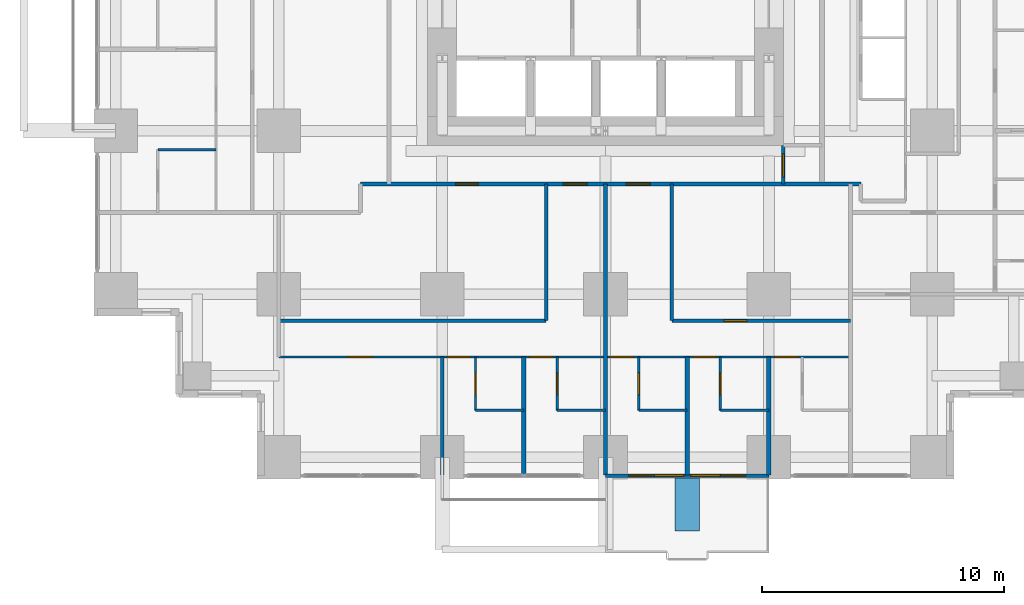
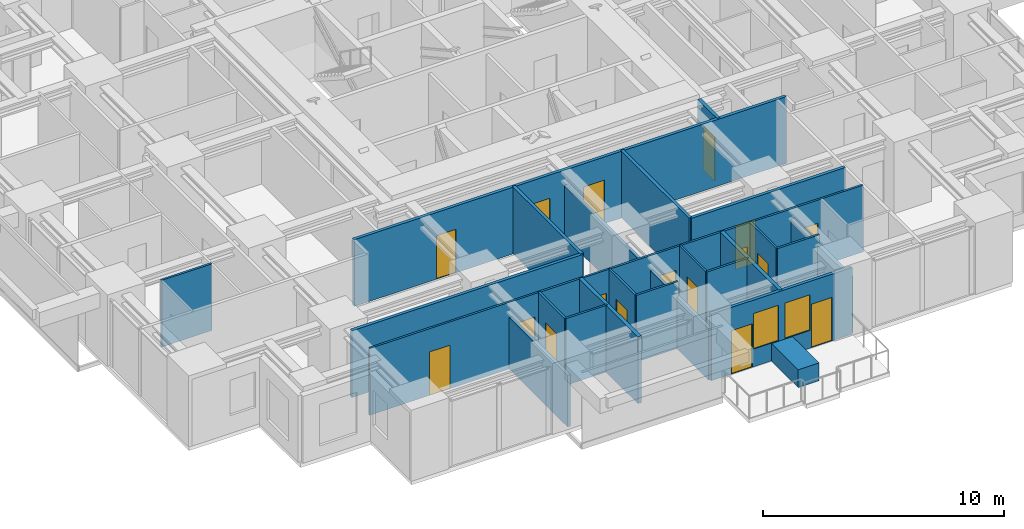
# One storey, part 7 of 12: 23 walls, 17 doors, 2 windows, 19 openings.
"""IFC4 building model written with IfcOpenShell, lengths in metres."""

from ifc_helpers import new_model, si_unit, direction, frame, frame_2d, origin, place, context, subcontext, project, spatial, rectangle, extrude, material, layer, layer_set, type_object, element, fill, save


model = new_model("IFC4")

# Units and contexts
model_context = context("Model", 3, precision=1e-05, world=origin(), true_north=direction((0.0, 1.0)))
body_context = subcontext(model_context, "Body", "Model", "MODEL_VIEW")
ifc_project = project(units=[si_unit("LENGTHUNIT", "METRE"), si_unit("AREAUNIT", "SQUARE_METRE"), si_unit("VOLUMEUNIT", "CUBIC_METRE"), si_unit("PLANEANGLEUNIT", "RADIAN"), si_unit("MASSUNIT", "GRAM", prefix="KILO")], contexts=[model_context])

# Site, building, storey
site_placement = place(None, origin())
site = spatial("IfcSite", under=ifc_project, at=site_placement, CompositionType="ELEMENT")
building_placement = place(site_placement, origin())
building = spatial("IfcBuilding", under=site, at=building_placement, Name="Nyansa Garden Tower", CompositionType="ELEMENT")
storey_placement = place(building_placement, frame((0.0, 0.0, 90.89990234375)))
storey = spatial("IfcBuildingStorey", under=building, at=storey_placement, Name="L24", CompositionType="ELEMENT", Elevation=90.89990234375)

# Walls
ifc_material_1 = material(Name="Dense blockwork, plastered both sides, 55 dB", Category="masonry")
ifc_layer_1 = layer(ifc_material_1, 0.175048828125)
ifc_layer_set_1 = layer_set([ifc_layer_1], Name="Acoustic party wall PW175")
wall_type_1 = type_object("IfcWallType", Name="Acoustic party wall PW175", PredefinedType="PARTITIONING", material=ifc_layer_set_1)
for number, where, z_axis, x_axis, name in (
    (1, (16.875, -0.73388671875, 0.0), (0.0, 0.0, 1.0), (0.0, 1.0, 0.0), "Party wall"),
    (2, (23.625, -0.73388671875, 0.0), (0.0, 0.0, 1.0), (0.0, 1.0, 0.0), "Party wall"),
):
    element("IfcWall", number, at=place(storey_placement, frame(where, z_axis=z_axis, x_axis=x_axis)), inside=storey, type_object=wall_type_1, Name=name, PredefinedType="PARTITIONING", context=body_context, shape_type="SweptSolid", body=[
        extrude(rectangle(XDim=4.8837890625, YDim=0.175048828125, at=frame_2d((2.44189453125, 0.0))), origin(), (0.0, 0.0, 1.0), 3.375),
    ])
wall_1_placement = place(storey_placement, frame((27.0, -0.73388671875, 0.0), z_axis=(0.0, 0.0, 1.0), x_axis=(0.0, 1.0, 0.0)))
element("IfcWall", 3, at=wall_1_placement, inside=storey, type_object=wall_type_1, Name="Party wall", PredefinedType="PARTITIONING", context=body_context, shape_type="SweptSolid", body=[
    extrude(rectangle(XDim=4.8837890625, YDim=0.175048828125, at=frame_2d((2.44189453125, 0.0))), origin(), (0.0, 0.0, 1.0), 2.877197265625),
])

# Wall, openings, doors, windows
ifc_material_2 = material(Name="Black aluminium framed glazed screen", Category="aluminium")
ifc_layer_2 = layer(ifc_material_2, 0.14990234375)
ifc_layer_set_2 = layer_set([ifc_layer_2], Name="Balcony screen wall BW150")
wall_type_2 = type_object("IfcWallType", Name="Balcony screen wall BW150", PredefinedType="SOLIDWALL", material=ifc_layer_set_2)
wall_2_placement = place(storey_placement, frame((27.0, -0.75, 0.0), z_axis=(0.0, 0.0, 1.0), x_axis=(-1.0, 0.0, 0.0)))
wall_2 = element("IfcWall", 4, at=wall_2_placement, inside=storey, type_object=wall_type_2, Name="Glazed screen wall L24 S", PredefinedType="SOLIDWALL", context=body_context, shape_type="SweptSolid", body=[
    extrude(rectangle(XDim=6.75, YDim=0.14990234375, at=frame_2d((3.375, 0.0))), origin(), (0.0, 0.0, 1.0), 3.375),
])
opening_1_placement = place(wall_2_placement, frame((0.96240234375, 0.0, 0.0)))
opening_1 = element("IfcOpeningElement", 5, at=opening_1_placement, cuts=wall_2, Name="Opening D20", PredefinedType="OPENING", context=body_context, shape_type="SweptSolid", body=[
    extrude(rectangle(XDim=1.0, YDim=2.199951171875, at=frame_2d((0.5, 1.10009765625))), frame((0.0, 0.0849609375, 0.0), z_axis=(0.0, -1.0, 0.0), x_axis=(1.0, 0.0, 0.0)), (0.0, 0.0, 1.0), 0.169921875),
])
opening_2_placement = place(wall_2_placement, frame((2.02490234375, 0.0, 0.89990234375)))
opening_2 = element("IfcOpeningElement", 6, at=opening_2_placement, cuts=wall_2, Name="Opening W6", PredefinedType="OPENING", context=body_context, shape_type="SweptSolid", body=[
    extrude(rectangle(XDim=1.199951171875, YDim=1.800048828125, at=frame_2d((0.60009765625, 0.89990234375))), frame((0.0, 0.0849609375, 0.0), z_axis=(0.0, -1.0, 0.0), x_axis=(1.0, 0.0, 0.0)), (0.0, 0.0, 1.0), 0.169921875),
])
opening_3_placement = place(wall_2_placement, frame((4.78759765625, 0.0, 0.0)))
opening_3 = element("IfcOpeningElement", 7, at=opening_3_placement, cuts=wall_2, Name="Opening D20", PredefinedType="OPENING", context=body_context, shape_type="SweptSolid", body=[
    extrude(rectangle(XDim=1.0, YDim=2.199951171875, at=frame_2d((0.5, 1.10009765625))), frame((0.0, 0.0849609375, 0.0), z_axis=(0.0, -1.0, 0.0), x_axis=(1.0, 0.0, 0.0)), (0.0, 0.0, 1.0), 0.169921875),
])
opening_4_placement = place(wall_2_placement, frame((3.52490234375, 0.0, 0.89990234375)))
opening_4 = element("IfcOpeningElement", 8, at=opening_4_placement, cuts=wall_2, Name="Opening W6", PredefinedType="OPENING", context=body_context, shape_type="SweptSolid", body=[
    extrude(rectangle(XDim=1.199951171875, YDim=1.800048828125, at=frame_2d((0.60009765625, 0.89990234375))), frame((0.0, 0.0849609375, 0.0), z_axis=(0.0, -1.0, 0.0), x_axis=(1.0, 0.0, 0.0)), (0.0, 0.0, 1.0), 0.169921875),
])
ifc_material_3 = material(Name="Black aluminium framed glazed door", Category="aluminium")
door_type_1 = type_object("IfcDoorType", Name="Balcony door D20 1000x2200", OperationType="NOTDEFINED", PredefinedType="DOOR", material=ifc_material_3)
door_1_placement = place(opening_1_placement, origin())
door_1 = element("IfcDoor", 9, at=door_1_placement, inside=storey, type_object=door_type_1, Name="Balcony door L24", OperationType="SINGLE_SWING_LEFT", OverallHeight=2.199951171875, OverallWidth=1.0, PredefinedType="DOOR", context=body_context, shape_type="SweptSolid", body=[
    extrude(rectangle(XDim=1.0, YDim=2.199951171875, at=frame_2d((0.5, 1.10009765625))), frame((0.0, 0.02490234375, 0.0), z_axis=(0.0, -1.0, 0.0), x_axis=(1.0, 0.0, 0.0)), (0.0, 0.0, 1.0), 0.050048828125),
])
fill(opening_1, door_1)
door_2_placement = place(opening_3_placement, origin())
door_2 = element("IfcDoor", 10, at=door_2_placement, inside=storey, type_object=door_type_1, Name="Balcony door L24", OperationType="SINGLE_SWING_RIGHT", OverallHeight=2.199951171875, OverallWidth=1.0, PredefinedType="DOOR", context=body_context, shape_type="SweptSolid", body=[
    extrude(rectangle(XDim=1.0, YDim=2.199951171875, at=frame_2d((0.5, 1.10009765625))), frame((0.0, 0.02490234375, 0.0), z_axis=(0.0, -1.0, 0.0), x_axis=(1.0, 0.0, 0.0)), (0.0, 0.0, 1.0), 0.050048828125),
])
fill(opening_3, door_2)
ifc_material_4 = material(Name="Black aluminium frame, dark tinted double glazing", Category="aluminium")
window_type = type_object("IfcWindowType", Name="Balcony window W6 1200x1800", PartitioningType="SINGLE_PANEL", PredefinedType="WINDOW", material=ifc_material_4)
window_1_placement = place(opening_2_placement, origin())
window_1 = element("IfcWindow", 11, at=window_1_placement, inside=storey, type_object=window_type, Name="Window L24", OverallHeight=1.800048828125, OverallWidth=1.199951171875, PartitioningType="SINGLE_PANEL", PredefinedType="WINDOW", context=body_context, shape_type="SweptSolid", body=[
    extrude(rectangle(XDim=1.199951171875, YDim=1.800048828125, at=frame_2d((0.60009765625, 0.89990234375))), frame((0.0, 0.030029296875, 0.0), z_axis=(0.0, -1.0, 0.0), x_axis=(1.0, 0.0, 0.0)), (0.0, 0.0, 1.0), 0.06005859375),
])
fill(opening_2, window_1)
window_2_placement = place(opening_4_placement, origin())
window_2 = element("IfcWindow", 12, at=window_2_placement, inside=storey, type_object=window_type, Name="Window L24", OverallHeight=1.800048828125, OverallWidth=1.199951171875, PartitioningType="SINGLE_PANEL", PredefinedType="WINDOW", context=body_context, shape_type="SweptSolid", body=[
    extrude(rectangle(XDim=1.199951171875, YDim=1.800048828125, at=frame_2d((0.60009765625, 0.89990234375))), frame((0.0, 0.030029296875, 0.0), z_axis=(0.0, -1.0, 0.0), x_axis=(1.0, 0.0, 0.0)), (0.0, 0.0, 1.0), 0.06005859375),
])
fill(opening_4, window_2)

# Wall
ifc_material_5 = material(Name="Blockwork, plastered both sides", Category="masonry")
ifc_layer_3 = layer(ifc_material_5, 0.14990234375)
ifc_layer_set_3 = layer_set([ifc_layer_3], Name="Partition PW150")
wall_type_3 = type_object("IfcWallType", Name="Partition PW150", PredefinedType="PARTITIONING", material=ifc_layer_set_3)
wall_3_placement = place(storey_placement, frame((6.75, 5.64990234375, 0.0), z_axis=(0.0, 0.0, 1.0), x_axis=(1.0, 0.0, 0.0)))
element("IfcWall", 13, at=wall_3_placement, inside=storey, type_object=wall_type_3, Name="Partition", PredefinedType="PARTITIONING", context=body_context, shape_type="SweptSolid", body=[
    extrude(rectangle(XDim=11.050048828125, YDim=0.14990234375, at=frame_2d((5.52490234375, 0.0))), origin(), (0.0, 0.0, 1.0), 3.375),
])

# Wall, openings, doors
wall_4_placement = place(storey_placement, frame((10.125, 11.300048828125, 0.0), z_axis=(0.0, 0.0, 1.0), x_axis=(1.0, 0.0, 0.0)))
wall_4 = element("IfcWall", 14, at=wall_4_placement, inside=storey, type_object=wall_type_3, Name="Partition", PredefinedType="PARTITIONING", context=body_context, shape_type="SweptSolid", body=[
    extrude(rectangle(XDim=20.675048828125, YDim=0.14990234375, at=frame_2d((10.33740234375, 0.0))), origin(), (0.0, 0.0, 1.0), 3.375),
])
opening_5_placement = place(wall_4_placement, frame((8.375, 0.0, 0.0)))
opening_5 = element("IfcOpeningElement", 15, at=opening_5_placement, cuts=wall_4, Name="Opening D03", PredefinedType="OPENING", context=body_context, shape_type="SweptSolid", body=[
    extrude(rectangle(XDim=1.0, YDim=2.199951171875, at=frame_2d((0.5, 1.10009765625))), frame((0.0, 0.0849609375, 0.0), z_axis=(0.0, -1.0, 0.0), x_axis=(1.0, 0.0, 0.0)), (0.0, 0.0, 1.0), 0.169921875),
])
opening_6_placement = place(wall_4_placement, frame((10.97509765625, 0.0, 0.0)))
opening_6 = element("IfcOpeningElement", 16, at=opening_6_placement, cuts=wall_4, Name="Opening D03", PredefinedType="OPENING", context=body_context, shape_type="SweptSolid", body=[
    extrude(rectangle(XDim=1.0, YDim=2.199951171875, at=frame_2d((0.5, 1.10009765625))), frame((0.0, 0.0849609375, 0.0), z_axis=(0.0, -1.0, 0.0), x_axis=(1.0, 0.0, 0.0)), (0.0, 0.0, 1.0), 0.169921875),
])
opening_7_placement = place(wall_4_placement, frame((3.925048828125, 0.0, 0.0)))
opening_7 = element("IfcOpeningElement", 17, at=opening_7_placement, cuts=wall_4, Name="Opening D01", PredefinedType="OPENING", context=body_context, shape_type="SweptSolid", body=[
    extrude(rectangle(XDim=0.949951171875, YDim=2.199951171875, at=frame_2d((0.47509765625, 1.10009765625))), frame((0.0, 0.0849609375, 0.0), z_axis=(0.0, -1.0, 0.0), x_axis=(1.0, 0.0, 0.0)), (0.0, 0.0, 1.0), 0.169921875),
])
ifc_material_6 = material(Name="Timber flush door, 30 minute fire resisting", Category="wood")
door_type_2 = type_object("IfcDoorType", Name="Bedroom door D01 950x2200", OperationType="SINGLE_SWING_LEFT", PredefinedType="DOOR", material=ifc_material_6)
door_3_placement = place(opening_7_placement, origin())
door_3 = element("IfcDoor", 18, at=door_3_placement, inside=storey, type_object=door_type_2, Name="Door L24-030", OperationType="SINGLE_SWING_LEFT", OverallHeight=2.199951171875, OverallWidth=0.949951171875, PredefinedType="DOOR", context=body_context, shape_type="SweptSolid", body=[
    extrude(rectangle(XDim=0.949951171875, YDim=2.199951171875, at=frame_2d((0.47509765625, 1.10009765625))), frame((0.0, 0.02490234375, 0.0), z_axis=(0.0, -1.0, 0.0), x_axis=(1.0, 0.0, 0.0)), (0.0, 0.0, 1.0), 0.050048828125),
])
fill(opening_7, door_3)
ifc_material_7 = material(Name="Timber flush door, 60 minute fire resisting", Category="wood")
door_type_3 = type_object("IfcDoorType", Name="Cluster entrance door D03 1000x2200", OperationType="SINGLE_SWING_LEFT", PredefinedType="DOOR", material=ifc_material_7)
door_4_placement = place(opening_5_placement, origin())
door_4 = element("IfcDoor", 19, at=door_4_placement, inside=storey, type_object=door_type_3, Name="Door L24-022", OperationType="SINGLE_SWING_LEFT", OverallHeight=2.199951171875, OverallWidth=1.0, PredefinedType="DOOR", context=body_context, shape_type="SweptSolid", body=[
    extrude(rectangle(XDim=1.0, YDim=2.199951171875, at=frame_2d((0.5, 1.10009765625))), frame((0.0, 0.02490234375, 0.0), z_axis=(0.0, -1.0, 0.0), x_axis=(1.0, 0.0, 0.0)), (0.0, 0.0, 1.0), 0.050048828125),
])
fill(opening_5, door_4)
door_5_placement = place(opening_6_placement, origin())
door_5 = element("IfcDoor", 20, at=door_5_placement, inside=storey, type_object=door_type_3, Name="Door L24-029", OperationType="SINGLE_SWING_LEFT", OverallHeight=2.199951171875, OverallWidth=1.0, PredefinedType="DOOR", context=body_context, shape_type="SweptSolid", body=[
    extrude(rectangle(XDim=1.0, YDim=2.199951171875, at=frame_2d((0.5, 1.10009765625))), frame((0.0, 0.02490234375, 0.0), z_axis=(0.0, -1.0, 0.0), x_axis=(1.0, 0.0, 0.0)), (0.0, 0.0, 1.0), 0.050048828125),
])
fill(opening_6, door_5)

# Walls
wall_5_placement = place(storey_placement, frame((13.5, -0.73388671875, 0.0), z_axis=(0.0, 0.0, 1.0), x_axis=(0.0, 1.0, 0.0)))
element("IfcWall", 21, at=wall_5_placement, inside=storey, type_object=wall_type_3, Name="Partition", PredefinedType="PARTITIONING", context=body_context, shape_type="SweptSolid", body=[
    extrude(rectangle(XDim=4.8837890625, YDim=0.14990234375, at=frame_2d((2.44189453125, 0.0))), origin(), (0.0, 0.0, 1.0), 2.610107421875),
])
wall_6_placement = place(storey_placement, frame((17.800048828125, 5.64990234375, 0.0), z_axis=(0.0, 0.0, 1.0), x_axis=(0.0, 1.0, 0.0)))
element("IfcWall", 22, at=wall_6_placement, inside=storey, type_object=wall_type_3, Name="Partition", PredefinedType="PARTITIONING", context=body_context, shape_type="SweptSolid", body=[
    extrude(rectangle(XDim=5.650146484375, YDim=0.14990234375, at=frame_2d((2.8251953125, 0.0))), origin(), (0.0, 0.0, 1.0), 3.375),
])
wall_7_placement = place(storey_placement, frame((20.25, -0.73388671875, 0.0), z_axis=(0.0, 0.0, 1.0), x_axis=(0.0, 1.0, 0.0)))
element("IfcWall", 23, at=wall_7_placement, inside=storey, type_object=wall_type_3, Name="Partition", PredefinedType="PARTITIONING", context=body_context, shape_type="SweptSolid", body=[
    extrude(rectangle(XDim=12.033935546875, YDim=0.14990234375, at=frame_2d((6.01708984375, 0.0))), origin(), (0.0, 0.0, 1.0), 2.610107421875),
])

# Wall, opening, door
wall_8_placement = place(storey_placement, frame((22.987548828125, 5.64990234375, 0.0), z_axis=(0.0, 0.0, 1.0), x_axis=(1.0, 0.0, 0.0)))
wall_8 = element("IfcWall", 24, at=wall_8_placement, inside=storey, type_object=wall_type_3, Name="Partition", PredefinedType="PARTITIONING", context=body_context, shape_type="SweptSolid", body=[
    extrude(rectangle(XDim=7.387451171875, YDim=0.14990234375, at=frame_2d((3.69384765625, 0.0))), origin(), (0.0, 0.0, 1.0), 3.375),
])
opening_8_placement = place(wall_8_placement, frame((2.14990234375, 0.0, 0.0)))
opening_8 = element("IfcOpeningElement", 25, at=opening_8_placement, cuts=wall_8, Name="Opening D01", PredefinedType="OPENING", context=body_context, shape_type="SweptSolid", body=[
    extrude(rectangle(XDim=0.949951171875, YDim=2.199951171875, at=frame_2d((0.47509765625, 1.10009765625))), frame((0.0, 0.0849609375, 0.0), z_axis=(0.0, -1.0, 0.0), x_axis=(1.0, 0.0, 0.0)), (0.0, 0.0, 1.0), 0.169921875),
])
door_6_placement = place(opening_8_placement, origin())
door_6 = element("IfcDoor", 26, at=door_6_placement, inside=storey, type_object=door_type_2, Name="Door L24-031", OperationType="SINGLE_SWING_LEFT", OverallHeight=2.199951171875, OverallWidth=0.949951171875, PredefinedType="DOOR", context=body_context, shape_type="SweptSolid", body=[
    extrude(rectangle(XDim=0.949951171875, YDim=2.199951171875, at=frame_2d((0.47509765625, 1.10009765625))), frame((0.0, 0.02490234375, 0.0), z_axis=(0.0, -1.0, 0.0), x_axis=(1.0, 0.0, 0.0)), (0.0, 0.0, 1.0), 0.050048828125),
])
fill(opening_8, door_6)

# Wall
wall_9_placement = place(storey_placement, frame((22.988037109375, 5.64990234375, 0.0), z_axis=(0.0, 0.0, 1.0), x_axis=(0.0, 1.0, 0.0)))
element("IfcWall", 27, at=wall_9_placement, inside=storey, type_object=wall_type_3, Name="Partition", PredefinedType="PARTITIONING", context=body_context, shape_type="SweptSolid", body=[
    extrude(rectangle(XDim=5.650146484375, YDim=0.14990234375, at=frame_2d((2.8251953125, 0.0))), origin(), (0.0, 0.0, 1.0), 3.375),
])

# Wall, opening, door
wall_10_placement = place(storey_placement, frame((27.60009765625, 11.300048828125, 0.0), z_axis=(0.0, 0.0, 1.0), x_axis=(0.0, 1.0, 0.0)))
wall_10 = element("IfcWall", 28, at=wall_10_placement, inside=storey, type_object=wall_type_3, Name="Partition", PredefinedType="PARTITIONING", context=body_context, shape_type="SweptSolid", body=[
    extrude(rectangle(XDim=1.599853515625, YDim=0.14990234375, at=frame_2d((0.7998046875, 0.0))), origin(), (0.0, 0.0, 1.0), 3.375),
])
opening_9_placement = place(wall_10_placement, frame((0.300048828125, 0.0, 0.0)))
opening_9 = element("IfcOpeningElement", 29, at=opening_9_placement, cuts=wall_10, Name="Opening D01", PredefinedType="OPENING", context=body_context, shape_type="SweptSolid", body=[
    extrude(rectangle(XDim=0.949951171875, YDim=2.199951171875, at=frame_2d((0.47509765625, 1.10009765625))), frame((0.0, 0.0849609375, 0.0), z_axis=(0.0, -1.0, 0.0), x_axis=(1.0, 0.0, 0.0)), (0.0, 0.0, 1.0), 0.169921875),
])
door_7_placement = place(opening_9_placement, origin())
door_7 = element("IfcDoor", 30, at=door_7_placement, inside=storey, type_object=door_type_2, Name="Door L24-016", OperationType="SINGLE_SWING_LEFT", OverallHeight=2.199951171875, OverallWidth=0.949951171875, PredefinedType="DOOR", context=body_context, shape_type="SweptSolid", body=[
    extrude(rectangle(XDim=0.949951171875, YDim=2.199951171875, at=frame_2d((0.47509765625, 1.10009765625))), frame((0.0, 0.02490234375, 0.0), z_axis=(0.0, -1.0, 0.0), x_axis=(1.0, 0.0, 0.0)), (0.0, 0.0, 1.0), 0.050048828125),
])
fill(opening_9, door_7)

# Walls
ifc_material_8 = material(Name="Concrete C40/50 planter, waterproofed", Category="concrete")
ifc_layer_4 = layer(ifc_material_8, 1.0)
ifc_layer_set_4 = layer_set([ifc_layer_4], Name="Tree planter TP1")
wall_type_4 = type_object("IfcWallType", Name="Tree planter TP1", PredefinedType="USERDEFINED", material=ifc_layer_set_4)
wall_11_placement = place(storey_placement, frame((23.625, -0.85009765625, 0.0), z_axis=(0.0, 0.0, 1.0), x_axis=(0.0, -1.0, 0.0)))
element("IfcWall", 31, at=wall_11_placement, inside=storey, type_object=wall_type_4, Name="Tree planter L24", ObjectType="TREE PLANTER", PredefinedType="USERDEFINED", context=body_context, shape_type="SweptSolid", body=[
    extrude(rectangle(XDim=2.199951171875, YDim=1.0, at=frame_2d((1.10009765625, 0.0))), origin(), (0.0, 0.0, 1.0), 0.900146484375),
])
ifc_material_9 = material(Name="Moisture resistant board on steel studs, tiled", Category="steel")
ifc_layer_5 = layer(ifc_material_9, 0.10009765625)
ifc_layer_set_5 = layer_set([ifc_layer_5], Name="Wet wall PW100")
wall_type_5 = type_object("IfcWallType", Name="Wet wall PW100", PredefinedType="PARTITIONING", material=ifc_layer_set_5)
wall_12_placement = place(storey_placement, frame((1.75, 12.72509765625, 0.0), z_axis=(0.0, 0.0, 1.0), x_axis=(1.0, 0.0, 0.0)))
element("IfcWall", 32, at=wall_12_placement, inside=storey, type_object=wall_type_5, Name="Wet wall", PredefinedType="PARTITIONING", context=body_context, shape_type="SweptSolid", body=[
    extrude(rectangle(XDim=2.39990234375, YDim=0.10009765625, at=frame_2d((1.199951171875, 0.0))), origin(), (0.0, 0.0, 1.0), 3.375),
])

# Wall, openings, doors
wall_13_placement = place(storey_placement, frame((6.75, 4.14990234375, 0.0), z_axis=(0.0, 0.0, 1.0), x_axis=(1.0, 0.0, 0.0)))
wall_13 = element("IfcWall", 33, at=wall_13_placement, inside=storey, type_object=wall_type_5, Name="Wet wall", PredefinedType="PARTITIONING", context=body_context, shape_type="SweptSolid", body=[
    extrude(rectangle(XDim=23.625, YDim=0.10009765625, at=frame_2d((11.8125, 0.0))), origin(), (0.0, 0.0, 1.0), 3.375),
])
opening_10_placement = place(wall_13_placement, frame((2.85009765625, 0.0, 0.0)))
opening_10 = element("IfcOpeningElement", 34, at=opening_10_placement, cuts=wall_13, Name="Opening D03", PredefinedType="OPENING", context=body_context, shape_type="SweptSolid", body=[
    extrude(rectangle(XDim=1.0, YDim=2.199951171875, at=frame_2d((0.5, 1.10009765625))), frame((0.0, 0.06005859375, 0.0), z_axis=(0.0, -1.0, 0.0), x_axis=(1.0, 0.0, 0.0)), (0.0, 0.0, 1.0), 0.1201171875),
])
opening_11_placement = place(wall_13_placement, frame((6.949951171875, 0.0, 0.0)))
opening_11 = element("IfcOpeningElement", 35, at=opening_11_placement, cuts=wall_13, Name="Opening D01", PredefinedType="OPENING", context=body_context, shape_type="SweptSolid", body=[
    extrude(rectangle(XDim=0.949951171875, YDim=2.199951171875, at=frame_2d((0.47509765625, 1.10009765625))), frame((0.0, 0.06005859375, 0.0), z_axis=(0.0, -1.0, 0.0), x_axis=(1.0, 0.0, 0.0)), (0.0, 0.0, 1.0), 0.1201171875),
])
opening_12_placement = place(wall_13_placement, frame((10.375, 0.0, 0.0)))
opening_12 = element("IfcOpeningElement", 36, at=opening_12_placement, cuts=wall_13, Name="Opening D01", PredefinedType="OPENING", context=body_context, shape_type="SweptSolid", body=[
    extrude(rectangle(XDim=0.949951171875, YDim=2.199951171875, at=frame_2d((0.47509765625, 1.10009765625))), frame((0.0, 0.06005859375, 0.0), z_axis=(0.0, -1.0, 0.0), x_axis=(1.0, 0.0, 0.0)), (0.0, 0.0, 1.0), 0.1201171875),
])
opening_13_placement = place(wall_13_placement, frame((13.699951171875, 0.0, 0.0)))
opening_13 = element("IfcOpeningElement", 37, at=opening_13_placement, cuts=wall_13, Name="Opening D14", PredefinedType="OPENING", context=body_context, shape_type="SweptSolid", body=[
    extrude(rectangle(XDim=0.949951171875, YDim=2.199951171875, at=frame_2d((0.47509765625, 1.10009765625))), frame((0.0, 0.06005859375, 0.0), z_axis=(0.0, -1.0, 0.0), x_axis=(1.0, 0.0, 0.0)), (0.0, 0.0, 1.0), 0.1201171875),
])
opening_14_placement = place(wall_13_placement, frame((17.125, 0.0, 0.0)))
opening_14 = element("IfcOpeningElement", 38, at=opening_14_placement, cuts=wall_13, Name="Opening D14", PredefinedType="OPENING", context=body_context, shape_type="SweptSolid", body=[
    extrude(rectangle(XDim=0.949951171875, YDim=2.199951171875, at=frame_2d((0.47509765625, 1.10009765625))), frame((0.0, 0.06005859375, 0.0), z_axis=(0.0, -1.0, 0.0), x_axis=(1.0, 0.0, 0.0)), (0.0, 0.0, 1.0), 0.1201171875),
])
opening_15_placement = place(wall_13_placement, frame((20.5, 0.0, 0.0)))
opening_15 = element("IfcOpeningElement", 39, at=opening_15_placement, cuts=wall_13, Name="Opening D14", PredefinedType="OPENING", context=body_context, shape_type="SweptSolid", body=[
    extrude(rectangle(XDim=0.949951171875, YDim=2.199951171875, at=frame_2d((0.47509765625, 1.10009765625))), frame((0.0, 0.06005859375, 0.0), z_axis=(0.0, -1.0, 0.0), x_axis=(1.0, 0.0, 0.0)), (0.0, 0.0, 1.0), 0.1201171875),
])
door_8_placement = place(opening_11_placement, origin())
door_8 = element("IfcDoor", 40, at=door_8_placement, inside=storey, type_object=door_type_2, Name="Door L24-018", OperationType="SINGLE_SWING_LEFT", OverallHeight=2.199951171875, OverallWidth=0.949951171875, PredefinedType="DOOR", context=body_context, shape_type="SweptSolid", body=[
    extrude(rectangle(XDim=0.949951171875, YDim=2.199951171875, at=frame_2d((0.47509765625, 1.10009765625))), frame((0.0, 0.02490234375, 0.0), z_axis=(0.0, -1.0, 0.0), x_axis=(1.0, 0.0, 0.0)), (0.0, 0.0, 1.0), 0.050048828125),
])
fill(opening_11, door_8)
door_9_placement = place(opening_12_placement, origin())
door_9 = element("IfcDoor", 41, at=door_9_placement, inside=storey, type_object=door_type_2, Name="Door L24-020", OperationType="SINGLE_SWING_LEFT", OverallHeight=2.199951171875, OverallWidth=0.949951171875, PredefinedType="DOOR", context=body_context, shape_type="SweptSolid", body=[
    extrude(rectangle(XDim=0.949951171875, YDim=2.199951171875, at=frame_2d((0.47509765625, 1.10009765625))), frame((0.0, 0.02490234375, 0.0), z_axis=(0.0, -1.0, 0.0), x_axis=(1.0, 0.0, 0.0)), (0.0, 0.0, 1.0), 0.050048828125),
])
fill(opening_12, door_9)
door_10_placement = place(opening_10_placement, origin())
door_10 = element("IfcDoor", 42, at=door_10_placement, inside=storey, type_object=door_type_3, Name="Door L24-017", OperationType="SINGLE_SWING_LEFT", OverallHeight=2.199951171875, OverallWidth=1.0, PredefinedType="DOOR", context=body_context, shape_type="SweptSolid", body=[
    extrude(rectangle(XDim=1.0, YDim=2.199951171875, at=frame_2d((0.5, 1.10009765625))), frame((0.0, 0.02490234375, 0.0), z_axis=(0.0, -1.0, 0.0), x_axis=(1.0, 0.0, 0.0)), (0.0, 0.0, 1.0), 0.050048828125),
])
fill(opening_10, door_10)
ifc_material_10 = material(Name="Timber flush door, 60 minute fire resisting, self-closing", Category="wood")
door_type_4 = type_object("IfcDoorType", Name="Studio entrance door D14 950x2200", OperationType="SINGLE_SWING_LEFT", PredefinedType="DOOR", material=ifc_material_10)
door_11_placement = place(opening_13_placement, origin())
door_11 = element("IfcDoor", 43, at=door_11_placement, inside=storey, type_object=door_type_4, Name="Door L24-023", OperationType="SINGLE_SWING_LEFT", OverallHeight=2.199951171875, OverallWidth=0.949951171875, PredefinedType="DOOR", context=body_context, shape_type="SweptSolid", body=[
    extrude(rectangle(XDim=0.949951171875, YDim=2.199951171875, at=frame_2d((0.47509765625, 1.10009765625))), frame((0.0, 0.02490234375, 0.0), z_axis=(0.0, -1.0, 0.0), x_axis=(1.0, 0.0, 0.0)), (0.0, 0.0, 1.0), 0.050048828125),
])
fill(opening_13, door_11)
door_12_placement = place(opening_14_placement, origin())
door_12 = element("IfcDoor", 44, at=door_12_placement, inside=storey, type_object=door_type_4, Name="Door L24-025", OperationType="SINGLE_SWING_LEFT", OverallHeight=2.199951171875, OverallWidth=0.949951171875, PredefinedType="DOOR", context=body_context, shape_type="SweptSolid", body=[
    extrude(rectangle(XDim=0.949951171875, YDim=2.199951171875, at=frame_2d((0.47509765625, 1.10009765625))), frame((0.0, 0.02490234375, 0.0), z_axis=(0.0, -1.0, 0.0), x_axis=(1.0, 0.0, 0.0)), (0.0, 0.0, 1.0), 0.050048828125),
])
fill(opening_14, door_12)
door_13_placement = place(opening_15_placement, origin())
door_13 = element("IfcDoor", 45, at=door_13_placement, inside=storey, type_object=door_type_4, Name="Door L24-027", OperationType="SINGLE_SWING_LEFT", OverallHeight=2.199951171875, OverallWidth=0.949951171875, PredefinedType="DOOR", context=body_context, shape_type="SweptSolid", body=[
    extrude(rectangle(XDim=0.949951171875, YDim=2.199951171875, at=frame_2d((0.47509765625, 1.10009765625))), frame((0.0, 0.02490234375, 0.0), z_axis=(0.0, -1.0, 0.0), x_axis=(1.0, 0.0, 0.0)), (0.0, 0.0, 1.0), 0.050048828125),
])
fill(opening_15, door_13)

# Wall, opening, door
wall_14_placement = place(storey_placement, frame((14.875, 1.949951171875, 0.0), z_axis=(0.0, 0.0, 1.0), x_axis=(0.0, 1.0, 0.0)))
wall_14 = element("IfcWall", 46, at=wall_14_placement, inside=storey, type_object=wall_type_5, Name="Wet wall", PredefinedType="PARTITIONING", context=body_context, shape_type="SweptSolid", body=[
    extrude(rectangle(XDim=2.199951171875, YDim=0.10009765625, at=frame_2d((1.10009765625, 0.0))), origin(), (0.0, 0.0, 1.0), 3.375),
])
opening_16_placement = place(wall_14_placement, frame((0.64990234375, 0.0, 0.0)))
opening_16 = element("IfcOpeningElement", 47, at=opening_16_placement, cuts=wall_14, Name="Opening D02", PredefinedType="OPENING", context=body_context, shape_type="SweptSolid", body=[
    extrude(rectangle(XDim=0.89990234375, YDim=2.199951171875, at=frame_2d((0.449951171875, 1.10009765625))), frame((0.0, 0.06005859375, 0.0), z_axis=(0.0, -1.0, 0.0), x_axis=(1.0, 0.0, 0.0)), (0.0, 0.0, 1.0), 0.1201171875),
])
ifc_material_11 = material(Name="Timber flush door", Category="wood")
door_type_5 = type_object("IfcDoorType", Name="En-suite door D02 900x2200", OperationType="SINGLE_SWING_RIGHT", PredefinedType="DOOR", material=ifc_material_11)
door_14_placement = place(opening_16_placement, origin())
door_14 = element("IfcDoor", 48, at=door_14_placement, inside=storey, type_object=door_type_5, Name="Door L24-019", OperationType="SINGLE_SWING_RIGHT", OverallHeight=2.199951171875, OverallWidth=0.89990234375, PredefinedType="DOOR", context=body_context, shape_type="SweptSolid", body=[
    extrude(rectangle(XDim=0.89990234375, YDim=2.199951171875, at=frame_2d((0.449951171875, 1.10009765625))), frame((0.0, 0.02490234375, 0.0), z_axis=(0.0, -1.0, 0.0), x_axis=(1.0, 0.0, 0.0)), (0.0, 0.0, 1.0), 0.050048828125),
])
fill(opening_16, door_14)

# Wall
wall_15_placement = place(storey_placement, frame((14.875, 1.949951171875, 0.0), z_axis=(0.0, 0.0, 1.0), x_axis=(1.0, 0.0, 0.0)))
element("IfcWall", 49, at=wall_15_placement, inside=storey, type_object=wall_type_5, Name="Wet wall", PredefinedType="PARTITIONING", context=body_context, shape_type="SweptSolid", body=[
    extrude(rectangle(XDim=2.0, YDim=0.10009765625, at=frame_2d((1.0, 0.0))), origin(), (0.0, 0.0, 1.0), 3.375),
])

# Wall, opening, door
wall_16_placement = place(storey_placement, frame((18.25, 1.949951171875, 0.0), z_axis=(0.0, 0.0, 1.0), x_axis=(0.0, 1.0, 0.0)))
wall_16 = element("IfcWall", 50, at=wall_16_placement, inside=storey, type_object=wall_type_5, Name="Wet wall", PredefinedType="PARTITIONING", context=body_context, shape_type="SweptSolid", body=[
    extrude(rectangle(XDim=2.199951171875, YDim=0.10009765625, at=frame_2d((1.10009765625, 0.0))), origin(), (0.0, 0.0, 1.0), 3.375),
])
opening_17_placement = place(wall_16_placement, frame((0.64990234375, 0.0, 0.0)))
opening_17 = element("IfcOpeningElement", 51, at=opening_17_placement, cuts=wall_16, Name="Opening D02", PredefinedType="OPENING", context=body_context, shape_type="SweptSolid", body=[
    extrude(rectangle(XDim=0.89990234375, YDim=2.199951171875, at=frame_2d((0.449951171875, 1.10009765625))), frame((0.0, 0.06005859375, 0.0), z_axis=(0.0, -1.0, 0.0), x_axis=(1.0, 0.0, 0.0)), (0.0, 0.0, 1.0), 0.1201171875),
])
door_15_placement = place(opening_17_placement, origin())
door_15 = element("IfcDoor", 52, at=door_15_placement, inside=storey, type_object=door_type_5, Name="Door L24-021", OperationType="SINGLE_SWING_RIGHT", OverallHeight=2.199951171875, OverallWidth=0.89990234375, PredefinedType="DOOR", context=body_context, shape_type="SweptSolid", body=[
    extrude(rectangle(XDim=0.89990234375, YDim=2.199951171875, at=frame_2d((0.449951171875, 1.10009765625))), frame((0.0, 0.02490234375, 0.0), z_axis=(0.0, -1.0, 0.0), x_axis=(1.0, 0.0, 0.0)), (0.0, 0.0, 1.0), 0.050048828125),
])
fill(opening_17, door_15)

# Wall
wall_17_placement = place(storey_placement, frame((18.25, 1.949951171875, 0.0), z_axis=(0.0, 0.0, 1.0), x_axis=(1.0, 0.0, 0.0)))
element("IfcWall", 53, at=wall_17_placement, inside=storey, type_object=wall_type_5, Name="Wet wall", PredefinedType="PARTITIONING", context=body_context, shape_type="SweptSolid", body=[
    extrude(rectangle(XDim=2.0, YDim=0.10009765625, at=frame_2d((1.0, 0.0))), origin(), (0.0, 0.0, 1.0), 3.375),
])

# Wall, opening, door
wall_18_placement = place(storey_placement, frame((21.625, 1.949951171875, 0.0), z_axis=(0.0, 0.0, 1.0), x_axis=(0.0, 1.0, 0.0)))
wall_18 = element("IfcWall", 54, at=wall_18_placement, inside=storey, type_object=wall_type_5, Name="Wet wall", PredefinedType="PARTITIONING", context=body_context, shape_type="SweptSolid", body=[
    extrude(rectangle(XDim=2.199951171875, YDim=0.10009765625, at=frame_2d((1.10009765625, 0.0))), origin(), (0.0, 0.0, 1.0), 3.375),
])
opening_18_placement = place(wall_18_placement, frame((0.64990234375, 0.0, 0.0)))
opening_18 = element("IfcOpeningElement", 55, at=opening_18_placement, cuts=wall_18, Name="Opening D02", PredefinedType="OPENING", context=body_context, shape_type="SweptSolid", body=[
    extrude(rectangle(XDim=0.89990234375, YDim=2.199951171875, at=frame_2d((0.449951171875, 1.10009765625))), frame((0.0, 0.06005859375, 0.0), z_axis=(0.0, -1.0, 0.0), x_axis=(1.0, 0.0, 0.0)), (0.0, 0.0, 1.0), 0.1201171875),
])
door_16_placement = place(opening_18_placement, origin())
door_16 = element("IfcDoor", 56, at=door_16_placement, inside=storey, type_object=door_type_5, Name="Door L24-024", OperationType="SINGLE_SWING_RIGHT", OverallHeight=2.199951171875, OverallWidth=0.89990234375, PredefinedType="DOOR", context=body_context, shape_type="SweptSolid", body=[
    extrude(rectangle(XDim=0.89990234375, YDim=2.199951171875, at=frame_2d((0.449951171875, 1.10009765625))), frame((0.0, 0.02490234375, 0.0), z_axis=(0.0, -1.0, 0.0), x_axis=(1.0, 0.0, 0.0)), (0.0, 0.0, 1.0), 0.050048828125),
])
fill(opening_18, door_16)

# Wall
wall_19_placement = place(storey_placement, frame((21.625, 1.949951171875, 0.0), z_axis=(0.0, 0.0, 1.0), x_axis=(1.0, 0.0, 0.0)))
element("IfcWall", 57, at=wall_19_placement, inside=storey, type_object=wall_type_5, Name="Wet wall", PredefinedType="PARTITIONING", context=body_context, shape_type="SweptSolid", body=[
    extrude(rectangle(XDim=2.0, YDim=0.10009765625, at=frame_2d((1.0, 0.0))), origin(), (0.0, 0.0, 1.0), 3.375),
])

# Wall, opening, door
wall_20_placement = place(storey_placement, frame((25.0, 1.949951171875, 0.0), z_axis=(0.0, 0.0, 1.0), x_axis=(0.0, 1.0, 0.0)))
wall_20 = element("IfcWall", 58, at=wall_20_placement, inside=storey, type_object=wall_type_5, Name="Wet wall", PredefinedType="PARTITIONING", context=body_context, shape_type="SweptSolid", body=[
    extrude(rectangle(XDim=2.199951171875, YDim=0.10009765625, at=frame_2d((1.10009765625, 0.0))), origin(), (0.0, 0.0, 1.0), 3.375),
])
opening_19_placement = place(wall_20_placement, frame((0.64990234375, 0.0, 0.0)))
opening_19 = element("IfcOpeningElement", 59, at=opening_19_placement, cuts=wall_20, Name="Opening D02", PredefinedType="OPENING", context=body_context, shape_type="SweptSolid", body=[
    extrude(rectangle(XDim=0.89990234375, YDim=2.199951171875, at=frame_2d((0.449951171875, 1.10009765625))), frame((0.0, 0.06005859375, 0.0), z_axis=(0.0, -1.0, 0.0), x_axis=(1.0, 0.0, 0.0)), (0.0, 0.0, 1.0), 0.1201171875),
])
door_17_placement = place(opening_19_placement, origin())
door_17 = element("IfcDoor", 60, at=door_17_placement, inside=storey, type_object=door_type_5, Name="Door L24-026", OperationType="SINGLE_SWING_RIGHT", OverallHeight=2.199951171875, OverallWidth=0.89990234375, PredefinedType="DOOR", context=body_context, shape_type="SweptSolid", body=[
    extrude(rectangle(XDim=0.89990234375, YDim=2.199951171875, at=frame_2d((0.449951171875, 1.10009765625))), frame((0.0, 0.02490234375, 0.0), z_axis=(0.0, -1.0, 0.0), x_axis=(1.0, 0.0, 0.0)), (0.0, 0.0, 1.0), 0.050048828125),
])
fill(opening_19, door_17)

# Wall
wall_21_placement = place(storey_placement, frame((25.0, 1.949951171875, 0.0), z_axis=(0.0, 0.0, 1.0), x_axis=(1.0, 0.0, 0.0)))
element("IfcWall", 61, at=wall_21_placement, inside=storey, type_object=wall_type_5, Name="Wet wall", PredefinedType="PARTITIONING", context=body_context, shape_type="SweptSolid", body=[
    extrude(rectangle(XDim=2.0, YDim=0.10009765625, at=frame_2d((1.0, 0.0))), origin(), (0.0, 0.0, 1.0), 3.375),
])

save(model, "model.ifc")
